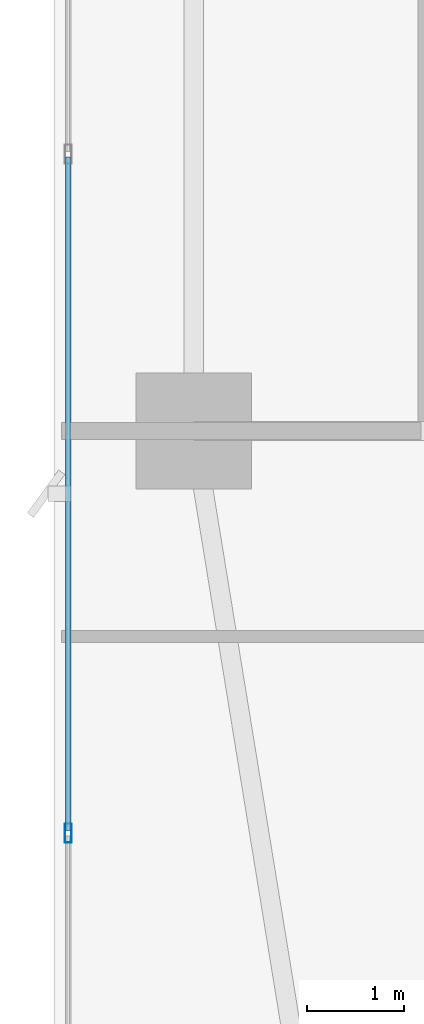
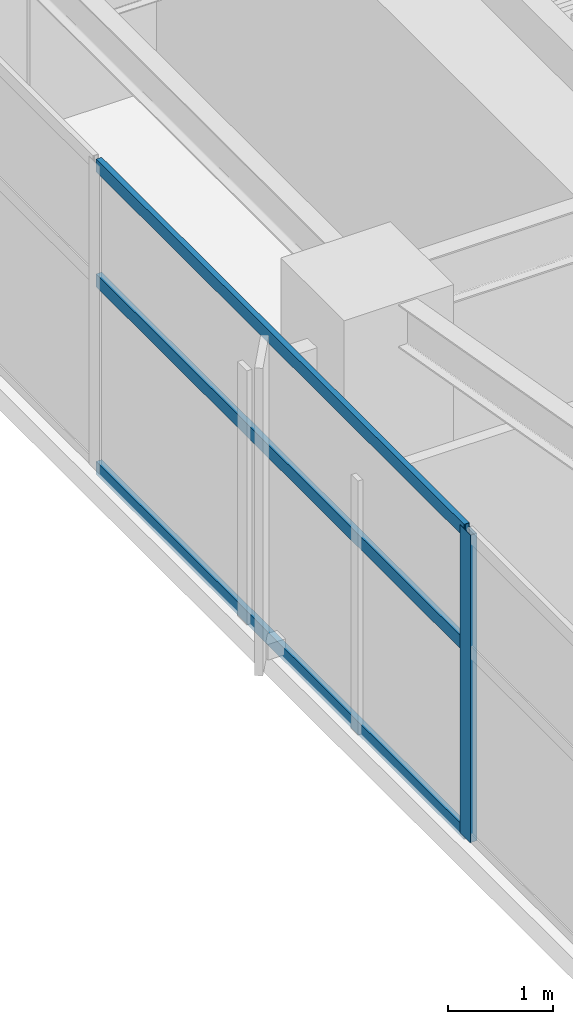
# One storey, part 4 of 28: 4 members, 1 element without a shape of its own.
"""IFC4 building model written with IfcOpenShell, lengths in metres."""

from ifc_helpers import new_model, si_unit, direction, frame, origin, origin_2d, place, context, subcontext, project, spatial, hollow_rectangle, extrude, material, layer, layer_set, material_profile, profile_set, type_object, element, aggregate, save


model = new_model("IFC4")

# Units and contexts
model_context = context("Model", 3, precision=1e-05, world=origin(), true_north=direction((0.0, 1.0)))
body_context = subcontext(model_context, "Body", "Model", "MODEL_VIEW")
ifc_project = project(units=[si_unit("LENGTHUNIT", "METRE"), si_unit("AREAUNIT", "SQUARE_METRE"), si_unit("VOLUMEUNIT", "CUBIC_METRE"), si_unit("PLANEANGLEUNIT", "RADIAN"), si_unit("MASSUNIT", "GRAM", prefix="KILO")], contexts=[model_context])

# Site, building, storey
site_placement = place(None, origin())
site = spatial("IfcSite", under=ifc_project, at=site_placement, CompositionType="ELEMENT")
building_placement = place(site_placement, origin())
building = spatial("IfcBuilding", under=site, at=building_placement, Name="Calvorn Quay Hotel", CompositionType="ELEMENT")
storey_placement = place(building_placement, frame((0.0, 0.0, 156.10009765625)))
storey = spatial("IfcBuildingStorey", under=building, at=storey_placement, Name="L38", CompositionType="ELEMENT", Elevation=156.10009765625)

# Curtain wall, members
ifc_material_1 = material(Name="Pale Anodised Aluminium and Low-E Glass", Category="aluminium")
ifc_layer = layer(ifc_material_1, 0.219970703125)
ifc_layer_set = layer_set([ifc_layer], Name="CW-SYS-Z2")
curtain_wall_type = type_object("IfcCurtainWallType", Name="CW-SYS-Z2", PredefinedType="NOTDEFINED", material=ifc_layer_set)
curtain_wall_placement = place(storey_placement, origin())
curtain_wall = element("IfcCurtainWall", 1, at=curtain_wall_placement, inside=storey, type_object=curtain_wall_type, Name="Tower West Curtain Wall (L38)", PredefinedType="NOTDEFINED")
ifc_material_2 = material(Name="Pale Anodised Aluminium 6063-T6", Category="aluminium")
ifc_material_profile_1 = material_profile(ifc_material_2, hollow_rectangle(XDim=0.070068359375, YDim=0.199951171875, WallThickness=0.00390625, at=origin_2d()), Name="ALU-M200x70x4")
ifc_profile_set_1 = profile_set([ifc_material_profile_1], Name="Pale Anodised Aluminium 6063-T6")
member_type_1 = type_object("IfcMemberType", Name="CW-SYS-Z2-MUL", PredefinedType="MULLION", material=ifc_profile_set_1)
member_1_placement = place(storey_placement, frame((0.14990234375, 12.63330078125, 0.0), z_axis=(0.0, 0.0, 1.0), x_axis=(-1.0, 0.0, 0.0)))
member_1 = element("IfcMember", 2, at=member_1_placement, type_object=member_type_1, Name="CW-L38-W mullion 2", PredefinedType="MULLION", context=body_context, shape_type="SweptSolid", body=[
    extrude(hollow_rectangle(XDim=0.070068359375, YDim=0.199951171875, WallThickness=0.00390625, at=origin_2d()), origin(), (0.0, 0.0, 1.0), 3.559814453125),
])
ifc_material_3 = material(Name="Pale Anodised Aluminium 6063-T6", Category="aluminium")
ifc_material_profile_2 = material_profile(ifc_material_3, hollow_rectangle(XDim=0.06005859375, YDim=0.14990234375, WallThickness=0.00341796875, at=origin_2d()), Name="ALU-T150x60x3.5")
ifc_profile_set_2 = profile_set([ifc_material_profile_2], Name="Pale Anodised Aluminium 6063-T6")
member_type_2 = type_object("IfcMemberType", Name="CW-SYS-Z2-TRN", PredefinedType="USERDEFINED", material=ifc_profile_set_2)
member_2_placement = place(storey_placement, frame((0.14990234375, 12.663330078125, 0.02978515625), z_axis=(0.0, 1.0, 0.0), x_axis=(-1.0, 0.0, 0.0)))
member_2 = element("IfcMember", 3, at=member_2_placement, type_object=member_type_2, Name="CW-L38-W transom 2.1", ObjectType="TRANSOM", PredefinedType="USERDEFINED", context=body_context, shape_type="SweptSolid", body=[
    extrude(hollow_rectangle(XDim=0.06005859375, YDim=0.14990234375, WallThickness=0.00341796875, at=origin_2d()), origin(), (0.0, 0.0, 1.0), 6.973388671875),
])
member_3_placement = place(storey_placement, frame((0.14990234375, 12.663330078125, 2.199951171875), z_axis=(0.0, 1.0, 0.0), x_axis=(-1.0, 0.0, 0.0)))
member_3 = element("IfcMember", 4, at=member_3_placement, type_object=member_type_2, Name="CW-L38-W transom 2.2", ObjectType="TRANSOM", PredefinedType="USERDEFINED", context=body_context, shape_type="SweptSolid", body=[
    extrude(hollow_rectangle(XDim=0.06005859375, YDim=0.14990234375, WallThickness=0.00341796875, at=origin_2d()), origin(), (0.0, 0.0, 1.0), 6.973388671875),
])
member_4_placement = place(storey_placement, frame((0.14990234375, 12.663330078125, 3.52978515625), z_axis=(0.0, 1.0, 0.0), x_axis=(-1.0, 0.0, 0.0)))
member_4 = element("IfcMember", 5, at=member_4_placement, type_object=member_type_2, Name="CW-L38-W transom 2.3", ObjectType="TRANSOM", PredefinedType="USERDEFINED", context=body_context, shape_type="SweptSolid", body=[
    extrude(hollow_rectangle(XDim=0.06005859375, YDim=0.14990234375, WallThickness=0.00341796875, at=origin_2d()), origin(), (0.0, 0.0, 1.0), 6.973388671875),
])
aggregate(curtain_wall, [member_1, member_2, member_3, member_4])

save(model, "model.ifc")
